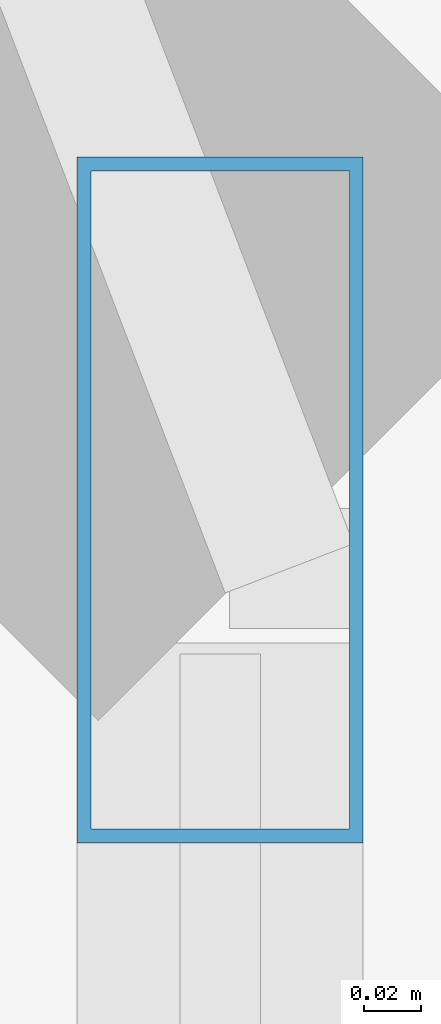
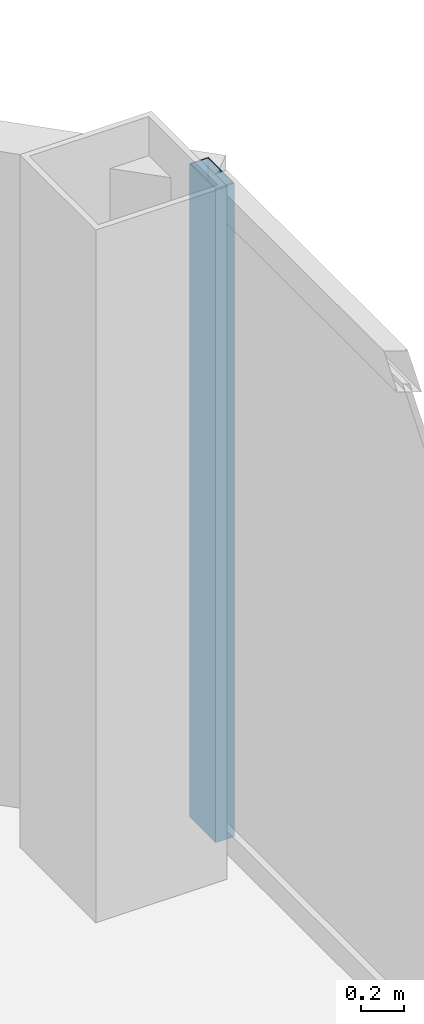
# One storey, part 17 of 29: 1 member, 1 element without a shape of its own.
"""IFC4 building model written with IfcOpenShell, lengths in metres."""

from ifc_helpers import new_model, si_unit, direction, frame, origin, origin_2d, place, context, subcontext, project, spatial, hollow_rectangle, extrude, material, layer, layer_set, material_profile, profile_set, type_object, element, aggregate, save


model = new_model("IFC4")

# Units and contexts
model_context = context("Model", 3, precision=1e-05, world=origin(), true_north=direction((0.0, 1.0)))
body_context = subcontext(model_context, "Body", "Model", "MODEL_VIEW")
ifc_project = project(units=[si_unit("LENGTHUNIT", "METRE"), si_unit("AREAUNIT", "SQUARE_METRE"), si_unit("VOLUMEUNIT", "CUBIC_METRE"), si_unit("PLANEANGLEUNIT", "RADIAN"), si_unit("MASSUNIT", "GRAM", prefix="KILO")], contexts=[model_context])

# Site, building, storey
site_placement = place(None, origin())
site = spatial("IfcSite", under=ifc_project, at=site_placement, CompositionType="ELEMENT")
building_placement = place(site_placement, origin())
building = spatial("IfcBuilding", under=site, at=building_placement, Name="Khorvyn Point Tower", CompositionType="ELEMENT")
storey_placement = place(building_placement, frame((0.0, 0.0, 136.800048828125)))
storey = spatial("IfcBuildingStorey", under=building, at=storey_placement, Name="L34", CompositionType="ELEMENT", Elevation=136.800048828125)

# Curtain wall, member
ifc_material_1 = material(Name="Anodised aluminium 6063-T6 and laminated Low-E glass", Category="aluminium")
ifc_layer = layer(ifc_material_1, 0.18994140625)
ifc_layer_set = layer_set([ifc_layer], Name="Stick-Built Acoustic Curtain Wall CW-SYS-03")
curtain_wall_type = type_object("IfcCurtainWallType", Name="Stick-Built Acoustic Curtain Wall CW-SYS-03", PredefinedType="NOTDEFINED", material=ifc_layer_set)
curtain_wall_placement = place(storey_placement, origin())
curtain_wall = element("IfcCurtainWall", 1, at=curtain_wall_placement, inside=storey, type_object=curtain_wall_type, Name="Curtain Wall", PredefinedType="NOTDEFINED")
ifc_material_2 = material(Name="Anodised aluminium 6063-T6", Category="aluminium")
ifc_material_profile = material_profile(ifc_material_2, hollow_rectangle(XDim=0.10009765625, YDim=0.239990234375, WallThickness=0.0048828125, at=origin_2d()))
ifc_profile_set = profile_set([ifc_material_profile], Name="Anodised aluminium 6063-T6 ALU-MUL-100x240")
member_type = type_object("IfcMemberType", Name="Anodised Aluminium 6063-T6 Mullion ALU-MUL-100x240", PredefinedType="MULLION", material=ifc_profile_set)
member_placement = place(storey_placement, frame((27.550048828125, 19.199951171875, 0.0), z_axis=(0.0, 0.0, 1.0), x_axis=(1.0, 0.0, 0.0)))
member = element("IfcMember", 2, at=member_placement, type_object=member_type, Name="Transom", PredefinedType="MULLION", context=body_context, shape_type="SweptSolid", body=[
    extrude(hollow_rectangle(XDim=0.10009765625, YDim=0.239990234375, WallThickness=0.0048828125, at=origin_2d()), origin(), (0.0, 0.0, 1.0), 3.679931640625),
])
aggregate(curtain_wall, [member])

save(model, "model.ifc")
